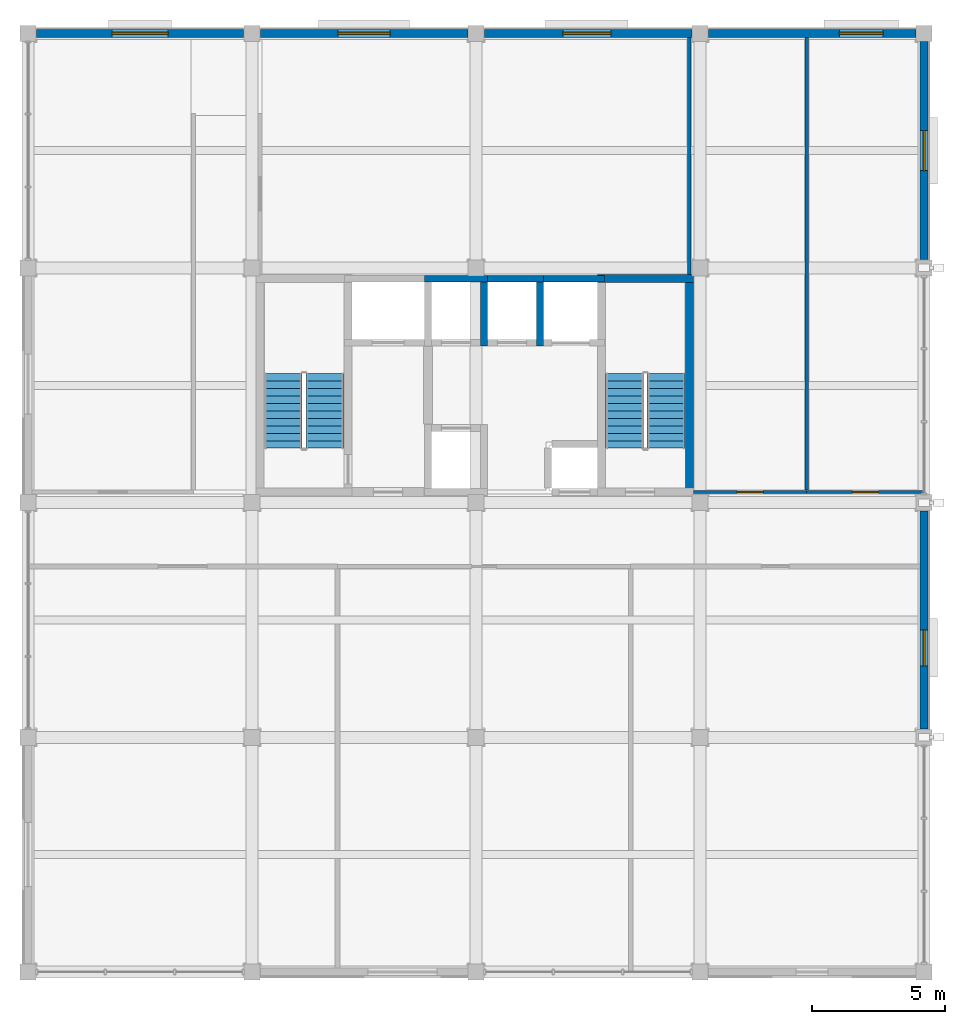
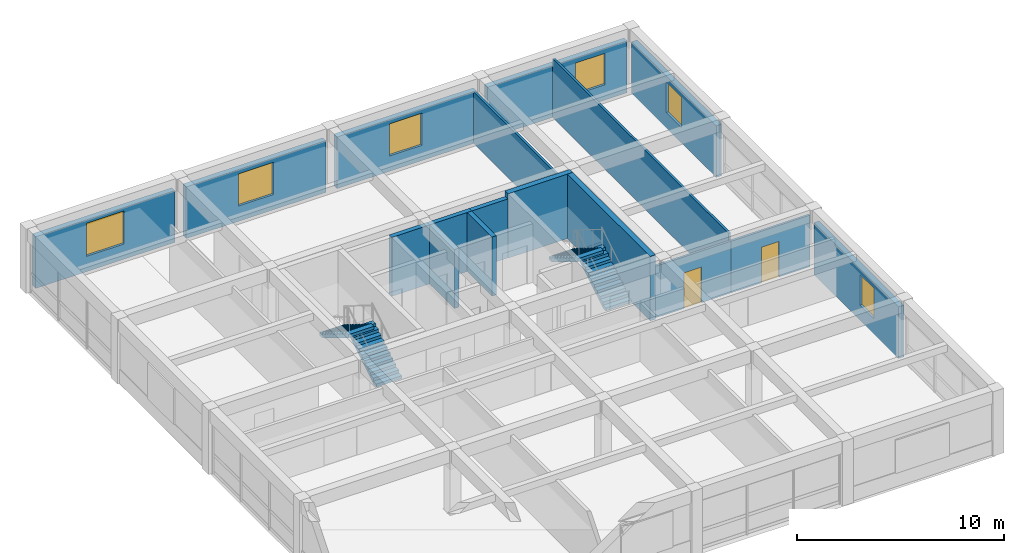
# One storey, part 8 of 12: 17 walls, 6 windows, 4 stair flights, 2 doors, 8 openings, 2 elements without a shape of their own.
"""IFC4 building model written with IfcOpenShell, lengths in metres."""

from ifc_helpers import new_model, si_unit, direction, frame, frame_2d, origin, place, context, subcontext, project, spatial, polyline, rectangle, outline, extrude, material, layer, layer_set, type_object, element, fill, aggregate, save


model = new_model("IFC4")

# Units and contexts
model_context = context("Model", 3, precision=1e-05, world=origin(), true_north=direction((0.0, 1.0)))
body_context = subcontext(model_context, "Body", "Model", "MODEL_VIEW")
ifc_project = project(units=[si_unit("LENGTHUNIT", "METRE"), si_unit("AREAUNIT", "SQUARE_METRE"), si_unit("VOLUMEUNIT", "CUBIC_METRE"), si_unit("PLANEANGLEUNIT", "RADIAN"), si_unit("MASSUNIT", "GRAM", prefix="KILO")], contexts=[model_context])

# Site, building, storey
site_placement = place(None, origin())
site = spatial("IfcSite", under=ifc_project, at=site_placement, CompositionType="ELEMENT")
building_placement = place(site_placement, origin())
building = spatial("IfcBuilding", under=site, at=building_placement, Name="Kemercrest Conservatory and Botanical Centre", CompositionType="ELEMENT")
storey_placement = place(building_placement, frame((0.0, 0.0, 52.199951171875)))
storey = spatial("IfcBuildingStorey", under=building, at=storey_placement, Name="L13", CompositionType="ELEMENT", Elevation=52.199951171875)

# Walls
ifc_material_1 = material(Name="Concrete C50/60", Category="concrete")
ifc_layer_1 = layer(ifc_material_1, 0.300048828125)
ifc_layer_set_1 = layer_set([ifc_layer_1], Name="Concrete C50/60")
wall_type_1 = type_object("IfcWallType", Name="CW-STAIR", PredefinedType="SHEAR", material=ifc_layer_set_1)
wall_1_placement = place(storey_placement, frame((163.75, 113.199951171875, 0.0), z_axis=(0.0, 0.0, 1.0), x_axis=(1.0, 0.0, 0.0)))
element("IfcWall", 1, at=wall_1_placement, inside=storey, type_object=wall_type_1, Name="Stair core ST-V4B shear wall N", PredefinedType="SHEAR", context=body_context, shape_type="SweptSolid", body=[
    extrude(rectangle(XDim=3.60009765625, YDim=0.300048828125, at=frame_2d((1.800048828125, 0.0))), origin(), (0.0, 0.0, 1.0), 3.800048828125),
])
wall_2_placement = place(storey_placement, frame((167.199951171875, 105.050048828125, 0.0), z_axis=(0.0, 0.0, 1.0), x_axis=(0.0, 1.0, 0.0)))
element("IfcWall", 2, at=wall_2_placement, inside=storey, type_object=wall_type_1, Name="Stair core ST-V4B shear wall E", PredefinedType="SHEAR", context=body_context, shape_type="SweptSolid", body=[
    extrude(rectangle(XDim=8.300048828125, YDim=0.300048828125, at=frame_2d((4.14990234375, 0.0))), origin(), (0.0, 0.0, 1.0), 3.800048828125),
])

# Wall, opening, window
ifc_material_2 = material(Name="Precast concrete C40/50", Category="concrete")
ifc_layer_2 = layer(ifc_material_2, 0.300048828125)
ifc_layer_set_2 = layer_set([ifc_layer_2], Name="Precast concrete C40/50")
wall_type_2 = type_object("IfcWallType", Name="W-EXT300", PredefinedType="SOLIDWALL", material=ifc_layer_set_2)
wall_3_placement = place(storey_placement, frame((176.0, 96.31005859375, 0.0), z_axis=(0.0, 0.0, 1.0), x_axis=(0.0, 1.0, 0.0)))
wall_3 = element("IfcWall", 3, at=wall_3_placement, inside=storey, type_object=wall_type_2, Name="Exterior almasik wall W-EXT300 (WAL:L13:EXT-325)", PredefinedType="SOLIDWALL", context=body_context, shape_type="SweptSolid", body=[
    extrude(rectangle(XDim=8.179931640625, YDim=0.300048828125, at=frame_2d((4.08984375, 0.0))), origin(), (0.0, 0.0, 1.0), 3.050048828125),
])
opening_1_placement = place(wall_3_placement, frame((2.3701171875, 0.0, 0.89990234375)))
opening_1 = element("IfcOpeningElement", 4, at=opening_1_placement, cuts=wall_3, Name="Opening WT-02", PredefinedType="OPENING", context=body_context, shape_type="SweptSolid", body=[
    extrude(rectangle(XDim=1.35009765625, YDim=1.800048828125, at=frame_2d((0.675048828125, 0.89990234375))), frame((0.0, 0.16015625, 0.0), z_axis=(0.0, -1.0, 0.0), x_axis=(1.0, 0.0, 0.0)), (0.0, 0.0, 1.0), 0.320068359375),
])
ifc_material_3 = material(Name="Thermally broken bronze-anodized aluminium and triple glazing", Category="aluminium")
window_type_1 = type_object("IfcWindowType", Name="WT-02", PartitioningType="SINGLE_PANEL", PredefinedType="WINDOW", material=ifc_material_3)
window_1_placement = place(opening_1_placement, origin())
window_1 = element("IfcWindow", 5, at=window_1_placement, inside=storey, type_object=window_type_1, Name="Exterior window WT-02 (WIN:L13:EXT-325)", OverallHeight=1.800048828125, OverallWidth=1.35009765625, PartitioningType="SINGLE_PANEL", PredefinedType="WINDOW", context=body_context, shape_type="SweptSolid", body=[
    extrude(rectangle(XDim=1.35009765625, YDim=1.800048828125, at=frame_2d((0.675048828125, 0.89990234375))), frame((0.0, 0.030029296875, 0.0), z_axis=(0.0, -1.0, 0.0), x_axis=(1.0, 0.0, 0.0)), (0.0, 0.0, 1.0), 0.06005859375),
])
fill(opening_1, window_1)

wall_4_placement = place(storey_placement, frame((176.0, 113.909912109375, 0.0), z_axis=(0.0, 0.0, 1.0), x_axis=(0.0, 1.0, 0.0)))
wall_4 = element("IfcWall", 6, at=wall_4_placement, inside=storey, type_object=wall_type_2, Name="Exterior almasik wall W-EXT300 (WAL:L13:EXT-326)", PredefinedType="SOLIDWALL", context=body_context, shape_type="SweptSolid", body=[
    extrude(rectangle(XDim=8.18017578125, YDim=0.300048828125, at=frame_2d((4.090087890625, 0.0))), origin(), (0.0, 0.0, 1.0), 3.050048828125),
])
opening_2_placement = place(wall_4_placement, frame((3.340087890625, 0.0, 0.89990234375)))
opening_2 = element("IfcOpeningElement", 7, at=opening_2_placement, cuts=wall_4, Name="Opening WT-03", PredefinedType="OPENING", context=body_context, shape_type="SweptSolid", body=[
    extrude(rectangle(XDim=1.5, YDim=1.800048828125, at=frame_2d((0.75, 0.89990234375))), frame((0.0, 0.16015625, 0.0), z_axis=(0.0, -1.0, 0.0), x_axis=(1.0, 0.0, 0.0)), (0.0, 0.0, 1.0), 0.320068359375),
])
window_type_2 = type_object("IfcWindowType", Name="WT-03", PartitioningType="SINGLE_PANEL", PredefinedType="WINDOW", material=ifc_material_3)
window_2_placement = place(opening_2_placement, origin())
window_2 = element("IfcWindow", 8, at=window_2_placement, inside=storey, type_object=window_type_2, Name="Exterior window WT-03 (WIN:L13:EXT-326)", OverallHeight=1.800048828125, OverallWidth=1.5, PartitioningType="SINGLE_PANEL", PredefinedType="WINDOW", context=body_context, shape_type="SweptSolid", body=[
    extrude(rectangle(XDim=1.5, YDim=1.800048828125, at=frame_2d((0.75, 0.89990234375))), frame((0.0, 0.030029296875, 0.0), z_axis=(0.0, -1.0, 0.0), x_axis=(1.0, 0.0, 0.0)), (0.0, 0.0, 1.0), 0.06005859375),
])
fill(opening_2, window_2)

wall_5_placement = place(storey_placement, frame((175.68994140625, 122.39990234375, 0.0), z_axis=(0.0, 0.0, 1.0), x_axis=(-1.0, 0.0, 0.0)))
wall_5 = element("IfcWall", 9, at=wall_5_placement, inside=storey, type_object=wall_type_2, Name="Exterior almasik wall W-EXT300 (WAL:L13:EXT-327)", PredefinedType="SOLIDWALL", context=body_context, shape_type="SweptSolid", body=[
    extrude(rectangle(XDim=7.780029296875, YDim=0.300048828125, at=frame_2d((3.89013671875, 0.0))), origin(), (0.0, 0.0, 1.0), 3.050048828125),
])
opening_3_placement = place(wall_5_placement, frame((1.219970703125, 0.0, 0.89990234375)))
opening_3 = element("IfcOpeningElement", 10, at=opening_3_placement, cuts=wall_5, Name="Opening WT-04", PredefinedType="OPENING", context=body_context, shape_type="SweptSolid", body=[
    extrude(rectangle(XDim=1.64990234375, YDim=1.85009765625, at=frame_2d((0.824951171875, 0.925048828125))), frame((0.0, 0.16015625, 0.0), z_axis=(0.0, -1.0, 0.0), x_axis=(1.0, 0.0, 0.0)), (0.0, 0.0, 1.0), 0.320068359375),
])
window_type_3 = type_object("IfcWindowType", Name="WT-04", PartitioningType="SINGLE_PANEL", PredefinedType="WINDOW", material=ifc_material_3)
window_3_placement = place(opening_3_placement, origin())
window_3 = element("IfcWindow", 11, at=window_3_placement, inside=storey, type_object=window_type_3, Name="Exterior window WT-04 (WIN:L13:EXT-327)", OverallHeight=1.85009765625, OverallWidth=1.64990234375, PartitioningType="SINGLE_PANEL", PredefinedType="WINDOW", context=body_context, shape_type="SweptSolid", body=[
    extrude(rectangle(XDim=1.64990234375, YDim=1.85009765625, at=frame_2d((0.824951171875, 0.925048828125))), frame((0.0, 0.030029296875, 0.0), z_axis=(0.0, -1.0, 0.0), x_axis=(1.0, 0.0, 0.0)), (0.0, 0.0, 1.0), 0.06005859375),
])
fill(opening_3, window_3)

wall_6_placement = place(storey_placement, frame((167.2900390625, 122.39990234375, 0.0), z_axis=(0.0, 0.0, 1.0), x_axis=(-1.0, 0.0, 0.0)))
wall_6 = element("IfcWall", 12, at=wall_6_placement, inside=storey, type_object=wall_type_2, Name="Exterior almasik wall W-EXT300 (WAL:L13:EXT-328)", PredefinedType="SOLIDWALL", context=body_context, shape_type="SweptSolid", body=[
    extrude(rectangle(XDim=7.780029296875, YDim=0.300048828125, at=frame_2d((3.89013671875, 0.0))), origin(), (0.0, 0.0, 1.0), 3.050048828125),
])
opening_4_placement = place(wall_6_placement, frame((3.034912109375, 0.0, 0.89990234375)))
opening_4 = element("IfcOpeningElement", 13, at=opening_4_placement, cuts=wall_6, Name="Opening WT-05", PredefinedType="OPENING", context=body_context, shape_type="SweptSolid", body=[
    extrude(rectangle(XDim=1.800048828125, YDim=1.89990234375, at=frame_2d((0.89990234375, 0.949951171875))), frame((0.0, 0.16015625, 0.0), z_axis=(0.0, -1.0, 0.0), x_axis=(1.0, 0.0, 0.0)), (0.0, 0.0, 1.0), 0.320068359375),
])
window_type_4 = type_object("IfcWindowType", Name="WT-05", PartitioningType="SINGLE_PANEL", PredefinedType="WINDOW", material=ifc_material_3)
window_4_placement = place(opening_4_placement, origin())
window_4 = element("IfcWindow", 14, at=window_4_placement, inside=storey, type_object=window_type_4, Name="Exterior window WT-05 (WIN:L13:EXT-328)", OverallHeight=1.89990234375, OverallWidth=1.800048828125, PartitioningType="SINGLE_PANEL", PredefinedType="WINDOW", context=body_context, shape_type="SweptSolid", body=[
    extrude(rectangle(XDim=1.800048828125, YDim=1.89990234375, at=frame_2d((0.89990234375, 0.949951171875))), frame((0.0, 0.030029296875, 0.0), z_axis=(0.0, -1.0, 0.0), x_axis=(1.0, 0.0, 0.0)), (0.0, 0.0, 1.0), 0.06005859375),
])
fill(opening_4, window_4)

wall_7_placement = place(storey_placement, frame((158.889892578125, 122.39990234375, 0.0), z_axis=(0.0, 0.0, 1.0), x_axis=(-1.0, 0.0, 0.0)))
wall_7 = element("IfcWall", 15, at=wall_7_placement, inside=storey, type_object=wall_type_2, Name="Exterior almasik wall W-EXT300 (WAL:L13:EXT-329)", PredefinedType="SOLIDWALL", context=body_context, shape_type="SweptSolid", body=[
    extrude(rectangle(XDim=7.77978515625, YDim=0.300048828125, at=frame_2d((3.889892578125, 0.0))), origin(), (0.0, 0.0, 1.0), 3.050048828125),
])
opening_5_placement = place(wall_7_placement, frame((2.9150390625, 0.0, 0.89990234375)))
opening_5 = element("IfcOpeningElement", 16, at=opening_5_placement, cuts=wall_7, Name="Opening WT-06", PredefinedType="OPENING", context=body_context, shape_type="SweptSolid", body=[
    extrude(rectangle(XDim=1.949951171875, YDim=1.89990234375, at=frame_2d((0.97509765625, 0.949951171875))), frame((0.0, 0.16015625, 0.0), z_axis=(0.0, -1.0, 0.0), x_axis=(1.0, 0.0, 0.0)), (0.0, 0.0, 1.0), 0.320068359375),
])
window_type_5 = type_object("IfcWindowType", Name="WT-06", PartitioningType="SINGLE_PANEL", PredefinedType="WINDOW", material=ifc_material_3)
window_5_placement = place(opening_5_placement, origin())
window_5 = element("IfcWindow", 17, at=window_5_placement, inside=storey, type_object=window_type_5, Name="Exterior window WT-06 (WIN:L13:EXT-329)", OverallHeight=1.89990234375, OverallWidth=1.949951171875, PartitioningType="SINGLE_PANEL", PredefinedType="WINDOW", context=body_context, shape_type="SweptSolid", body=[
    extrude(rectangle(XDim=1.949951171875, YDim=1.89990234375, at=frame_2d((0.97509765625, 0.949951171875))), frame((0.0, 0.030029296875, 0.0), z_axis=(0.0, -1.0, 0.0), x_axis=(1.0, 0.0, 0.0)), (0.0, 0.0, 1.0), 0.06005859375),
])
fill(opening_5, window_5)

wall_8_placement = place(storey_placement, frame((150.489990234375, 122.39990234375, 0.0), z_axis=(0.0, 0.0, 1.0), x_axis=(-1.0, 0.0, 0.0)))
wall_8 = element("IfcWall", 18, at=wall_8_placement, inside=storey, type_object=wall_type_2, Name="Exterior almasik wall W-EXT300 (WAL:L13:EXT-330)", PredefinedType="SOLIDWALL", context=body_context, shape_type="SweptSolid", body=[
    extrude(rectangle(XDim=7.780029296875, YDim=0.300048828125, at=frame_2d((3.89013671875, 0.0))), origin(), (0.0, 0.0, 1.0), 3.050048828125),
])
opening_6_placement = place(wall_8_placement, frame((2.840087890625, 0.0, 0.89990234375)))
opening_6 = element("IfcOpeningElement", 19, at=opening_6_placement, cuts=wall_8, Name="Opening WT-07", PredefinedType="OPENING", context=body_context, shape_type="SweptSolid", body=[
    extrude(rectangle(XDim=2.10009765625, YDim=1.949951171875, at=frame_2d((1.050048828125, 0.97509765625))), frame((0.0, 0.16015625, 0.0), z_axis=(0.0, -1.0, 0.0), x_axis=(1.0, 0.0, 0.0)), (0.0, 0.0, 1.0), 0.320068359375),
])
window_type_6 = type_object("IfcWindowType", Name="WT-07", PartitioningType="SINGLE_PANEL", PredefinedType="WINDOW", material=ifc_material_3)
window_6_placement = place(opening_6_placement, origin())
window_6 = element("IfcWindow", 20, at=window_6_placement, inside=storey, type_object=window_type_6, Name="Exterior window WT-07 (WIN:L13:EXT-330)", OverallHeight=1.949951171875, OverallWidth=2.10009765625, PartitioningType="SINGLE_PANEL", PredefinedType="WINDOW", context=body_context, shape_type="SweptSolid", body=[
    extrude(rectangle(XDim=2.10009765625, YDim=1.949951171875, at=frame_2d((1.050048828125, 0.97509765625))), frame((0.0, 0.030029296875, 0.0), z_axis=(0.0, -1.0, 0.0), x_axis=(1.0, 0.0, 0.0)), (0.0, 0.0, 1.0), 0.06005859375),
])
fill(opening_6, window_6)

# Wall, opening, door
ifc_material_4 = material(Name="Moisture-resistant gypsum board partition", Category="gypsum")
ifc_layer_3 = layer(ifc_material_4, 0.125)
ifc_layer_set_3 = layer_set([ifc_layer_3], Name="Moisture-resistant gypsum board partition")
wall_type_3 = type_object("IfcWallType", Name="W-PART125", PredefinedType="PARTITIONING", material=ifc_layer_set_3)
wall_9_placement = place(storey_placement, frame((167.35498046875, 105.199951171875, 0.0), z_axis=(0.0, 0.0, 1.0), x_axis=(1.0, 0.0, 0.0)))
wall_9 = element("IfcWall", 21, at=wall_9_placement, inside=storey, type_object=wall_type_3, Name="Interior partition W-PART125 #282", PredefinedType="PARTITIONING", context=body_context, shape_type="SweptSolid", body=[
    extrude(rectangle(XDim=4.2451171875, YDim=0.125, at=frame_2d((2.12255859375, 0.0))), origin(), (0.0, 0.0, 1.0), 3.045166015625),
])
opening_7_placement = place(wall_9_placement, frame((1.632568359375, 0.0, 0.0)))
opening_7 = element("IfcOpeningElement", 22, at=opening_7_placement, cuts=wall_9, Name="Opening D267", PredefinedType="OPENING", context=body_context, shape_type="SweptSolid", body=[
    extrude(rectangle(XDim=0.97998046875, YDim=2.10009765625, at=frame_2d((0.489990234375, 1.050048828125))), frame((0.0, 0.072509765625, 0.0), z_axis=(0.0, -1.0, 0.0), x_axis=(1.0, 0.0, 0.0)), (0.0, 0.0, 1.0), 0.14501953125),
])
ifc_material_5 = material(Name="FSC solid-core white oak veneer and anodized aluminium frame", Category="aluminium")
door_type = type_object("IfcDoorType", Name="DT-02", OperationType="NOTDEFINED", PredefinedType="DOOR", material=ifc_material_5)
door_1_placement = place(opening_7_placement, origin())
door_1 = element("IfcDoor", 23, at=door_1_placement, inside=storey, type_object=door_type, Name="Staff Washroom door D267", OperationType="SINGLE_SWING_LEFT", OverallHeight=2.10009765625, OverallWidth=0.97998046875, PredefinedType="DOOR", context=body_context, shape_type="SweptSolid", body=[
    extrude(rectangle(XDim=0.97998046875, YDim=2.10009765625, at=frame_2d((0.489990234375, 1.050048828125))), frame((0.0, 0.02490234375, 0.0), z_axis=(0.0, -1.0, 0.0), x_axis=(1.0, 0.0, 0.0)), (0.0, 0.0, 1.0), 0.050048828125),
])
fill(opening_7, door_1)

wall_10_placement = place(storey_placement, frame((171.60009765625, 105.199951171875, 0.0), z_axis=(0.0, 0.0, 1.0), x_axis=(1.0, 0.0, 0.0)))
wall_10 = element("IfcWall", 24, at=wall_10_placement, inside=storey, type_object=wall_type_3, Name="Interior partition W-PART125 #283", PredefinedType="PARTITIONING", context=body_context, shape_type="SweptSolid", body=[
    extrude(rectangle(XDim=4.39990234375, YDim=0.125, at=frame_2d((2.199951171875, 0.0))), origin(), (0.0, 0.0, 1.0), 3.045166015625),
])
opening_8_placement = place(wall_10_placement, frame((1.7099609375, 0.0, 0.0)))
opening_8 = element("IfcOpeningElement", 25, at=opening_8_placement, cuts=wall_10, Name="Opening D268", PredefinedType="OPENING", context=body_context, shape_type="SweptSolid", body=[
    extrude(rectangle(XDim=0.97998046875, YDim=2.10009765625, at=frame_2d((0.489990234375, 1.050048828125))), frame((0.0, 0.072509765625, 0.0), z_axis=(0.0, -1.0, 0.0), x_axis=(1.0, 0.0, 0.0)), (0.0, 0.0, 1.0), 0.14501953125),
])
door_2_placement = place(opening_8_placement, origin())
door_2 = element("IfcDoor", 26, at=door_2_placement, inside=storey, type_object=door_type, Name="Accessible Washroom door D268", OperationType="SINGLE_SWING_RIGHT", OverallHeight=2.10009765625, OverallWidth=0.97998046875, PredefinedType="DOOR", context=body_context, shape_type="SweptSolid", body=[
    extrude(rectangle(XDim=0.97998046875, YDim=2.10009765625, at=frame_2d((0.489990234375, 1.050048828125))), frame((0.0, 0.02490234375, 0.0), z_axis=(0.0, -1.0, 0.0), x_axis=(1.0, 0.0, 0.0)), (0.0, 0.0, 1.0), 0.050048828125),
])
fill(opening_8, door_2)

# Walls
wall_11_placement = place(storey_placement, frame((167.199951171875, 113.35498046875, 0.0), z_axis=(0.0, 0.0, 1.0), x_axis=(0.0, 1.0, 0.0)))
element("IfcWall", 27, at=wall_11_placement, inside=storey, type_object=wall_type_3, Name="Interior partition W-PART125 #288", PredefinedType="PARTITIONING", context=body_context, shape_type="SweptSolid", body=[
    extrude(rectangle(XDim=8.89013671875, YDim=0.125, at=frame_2d((4.445068359375, 0.0))), origin(), (0.0, 0.0, 1.0), 3.045166015625),
])
wall_12_placement = place(storey_placement, frame((171.60009765625, 105.267578125, 0.0), z_axis=(0.0, 0.0, 1.0), x_axis=(0.0, 1.0, 0.0)))
element("IfcWall", 28, at=wall_12_placement, inside=storey, type_object=wall_type_3, Name="Interior partition W-PART125 #289", PredefinedType="PARTITIONING", context=body_context, shape_type="SweptSolid", body=[
    extrude(rectangle(XDim=16.9775390625, YDim=0.125, at=frame_2d((8.48876953125, 0.0))), origin(), (0.0, 0.0, 1.0), 3.465087890625),
])
ifc_material_6 = material(Name="Concrete C40/50", Category="concrete")
ifc_layer_4 = layer(ifc_material_6, 0.25)
ifc_layer_set_4 = layer_set([ifc_layer_4], Name="Concrete C40/50")
wall_type_4 = type_object("IfcWallType", Name="W-SHFT250", PredefinedType="SOLIDWALL", material=ifc_layer_set_4)
wall_13_placement = place(storey_placement, frame((157.27490234375, 113.199951171875, 0.0), z_axis=(0.0, 0.0, 1.0), x_axis=(1.0, 0.0, 0.0)))
element("IfcWall", 29, at=wall_13_placement, inside=storey, type_object=wall_type_4, Name="Elevator LF-P1 shaft wall north", PredefinedType="SOLIDWALL", context=body_context, shape_type="SweptSolid", body=[
    extrude(rectangle(XDim=2.35009765625, YDim=0.25, at=frame_2d((1.175048828125, 0.0))), origin(), (0.0, 0.0, 1.0), 3.47998046875),
])
wall_14_placement = place(storey_placement, frame((159.5, 110.675048828125, 0.0), z_axis=(0.0, 0.0, 1.0), x_axis=(0.0, 1.0, 0.0)))
element("IfcWall", 30, at=wall_14_placement, inside=storey, type_object=wall_type_4, Name="Elevator LF-P1 shaft wall east", PredefinedType="SOLIDWALL", context=body_context, shape_type="SweptSolid", body=[
    extrude(rectangle(XDim=2.64990234375, YDim=0.25, at=frame_2d((1.324951171875, 0.0))), origin(), (0.0, 0.0, 1.0), 3.47998046875),
])
wall_15_placement = place(storey_placement, frame((159.375, 113.199951171875, 0.0), z_axis=(0.0, 0.0, 1.0), x_axis=(1.0, 0.0, 0.0)))
element("IfcWall", 31, at=wall_15_placement, inside=storey, type_object=wall_type_4, Name="Elevator LF-P2 shaft wall north", PredefinedType="SOLIDWALL", context=body_context, shape_type="SweptSolid", body=[
    extrude(rectangle(XDim=2.35009765625, YDim=0.25, at=frame_2d((1.175048828125, 0.0))), origin(), (0.0, 0.0, 1.0), 3.47998046875),
])
wall_16_placement = place(storey_placement, frame((161.60009765625, 110.675048828125, 0.0), z_axis=(0.0, 0.0, 1.0), x_axis=(0.0, 1.0, 0.0)))
element("IfcWall", 32, at=wall_16_placement, inside=storey, type_object=wall_type_4, Name="Elevator LF-P2 shaft wall east", PredefinedType="SOLIDWALL", context=body_context, shape_type="SweptSolid", body=[
    extrude(rectangle(XDim=2.64990234375, YDim=0.25, at=frame_2d((1.324951171875, 0.0))), origin(), (0.0, 0.0, 1.0), 3.47998046875),
])
wall_17_placement = place(storey_placement, frame((161.47509765625, 113.199951171875, 0.0), z_axis=(0.0, 0.0, 1.0), x_axis=(1.0, 0.0, 0.0)))
element("IfcWall", 33, at=wall_17_placement, inside=storey, type_object=wall_type_4, Name="Elevator LF-G1 shaft wall north", PredefinedType="SOLIDWALL", context=body_context, shape_type="SweptSolid", body=[
    extrude(rectangle(XDim=2.5498046875, YDim=0.25, at=frame_2d((1.27490234375, 0.0))), origin(), (0.0, 0.0, 1.0), 3.47998046875),
])

# Stair, stair flights
stair_type = type_object("IfcStairType", Name="ST-142-38", PredefinedType="HALF_TURN_STAIR", material=ifc_material_6)
stair_1_placement = place(storey_placement, origin())
stair_1 = element("IfcStair", 34, at=stair_1_placement, inside=storey, type_object=stair_type, Name="L13 Exit stair ST-V4A", PredefinedType="HALF_TURN_STAIR")
stair_flight_type = type_object("IfcStairFlightType", Name="FL-142-38", PredefinedType="STRAIGHT", material=ifc_material_6)
stair_flight_1_placement = place(storey_placement, frame((153.530029296875, 106.840087890625, 0.0), z_axis=(0.0, 0.0, 1.0), x_axis=(0.0, 1.0, 0.0)))
stair_flight_1 = element("IfcStairFlight", 35, at=stair_flight_1_placement, type_object=stair_flight_type, Name="ST-V4A flight 1", NumberOfRisers=11, NumberOfTreads=10, PredefinedType="STRAIGHT", RiserHeight=0.172727273, TreadLength=0.28, context=body_context, shape_type="SweptSolid", body=[
    extrude(outline(polyline([(0.0, 0.0), (0.0, 0.172607421875), (0.280029296875, 0.172607421875), (0.280029296875, 0.345458984375), (0.56005859375, 0.345458984375), (0.56005859375, 0.51806640625), (0.840087890625, 0.51806640625), (0.840087890625, 0.69091796875), (1.1201171875, 0.69091796875), (1.1201171875, 0.863525390625), (1.39990234375, 0.863525390625), (1.39990234375, 1.036376953125), (1.679931640625, 1.036376953125), (1.679931640625, 1.208984375), (1.9599609375, 1.208984375), (1.9599609375, 1.3818359375), (2.239990234375, 1.3818359375), (2.239990234375, 1.554443359375), (2.52001953125, 1.554443359375), (2.52001953125, 1.727294921875), (2.800048828125, 1.727294921875), (2.800048828125, 1.89990234375), (2.800048828125, 1.551025390625), (0.285400390625, 0.0), (0.0, 0.0)])), frame((0.0, 0.7099609375, 0.0), z_axis=(0.0, -1.0, 0.0), x_axis=(1.0, 0.0, 0.0)), (0.0, 0.0, 1.0), 1.419921875),
])
stair_flight_2_placement = place(storey_placement, frame((151.969970703125, 109.639892578125, 1.900146484375), z_axis=(0.0, 0.0, 1.0), x_axis=(0.0, -1.0, 0.0)))
stair_flight_2 = element("IfcStairFlight", 36, at=stair_flight_2_placement, type_object=stair_flight_type, Name="ST-V4A flight 2", NumberOfRisers=11, NumberOfTreads=10, PredefinedType="STRAIGHT", RiserHeight=0.172727273, TreadLength=0.28, context=body_context, shape_type="SweptSolid", body=[
    extrude(outline(polyline([(0.0, 0.0), (0.0, 0.172607421875), (0.280029296875, 0.172607421875), (0.280029296875, 0.345458984375), (0.56005859375, 0.345458984375), (0.56005859375, 0.51806640625), (0.840087890625, 0.51806640625), (0.840087890625, 0.69091796875), (1.1201171875, 0.69091796875), (1.1201171875, 0.863525390625), (1.39990234375, 0.863525390625), (1.39990234375, 1.036376953125), (1.679931640625, 1.036376953125), (1.679931640625, 1.208984375), (1.9599609375, 1.208984375), (1.9599609375, 1.3818359375), (2.239990234375, 1.3818359375), (2.239990234375, 1.554443359375), (2.52001953125, 1.554443359375), (2.52001953125, 1.727294921875), (2.800048828125, 1.727294921875), (2.800048828125, 1.89990234375), (2.800048828125, 1.551025390625), (0.285400390625, 0.0), (0.0, 0.0)])), frame((0.0, 0.7099609375, 0.0), z_axis=(0.0, -1.0, 0.0), x_axis=(1.0, 0.0, 0.0)), (0.0, 0.0, 1.0), 1.419921875),
])
aggregate(stair_1, [stair_flight_1, stair_flight_2])

stair_2_placement = place(storey_placement, origin())
stair_2 = element("IfcStair", 37, at=stair_2_placement, inside=storey, type_object=stair_type, Name="L13 Exit stair ST-V4B", PredefinedType="HALF_TURN_STAIR")
stair_flight_3_placement = place(storey_placement, frame((166.330078125, 106.840087890625, 0.0), z_axis=(0.0, 0.0, 1.0), x_axis=(0.0, 1.0, 0.0)))
stair_flight_3 = element("IfcStairFlight", 38, at=stair_flight_3_placement, type_object=stair_flight_type, Name="ST-V4B flight 1", NumberOfRisers=11, NumberOfTreads=10, PredefinedType="STRAIGHT", RiserHeight=0.172727273, TreadLength=0.28, context=body_context, shape_type="SweptSolid", body=[
    extrude(outline(polyline([(0.0, 0.0), (0.0, 0.172607421875), (0.280029296875, 0.172607421875), (0.280029296875, 0.345458984375), (0.56005859375, 0.345458984375), (0.56005859375, 0.51806640625), (0.840087890625, 0.51806640625), (0.840087890625, 0.69091796875), (1.1201171875, 0.69091796875), (1.1201171875, 0.863525390625), (1.39990234375, 0.863525390625), (1.39990234375, 1.036376953125), (1.679931640625, 1.036376953125), (1.679931640625, 1.208984375), (1.9599609375, 1.208984375), (1.9599609375, 1.3818359375), (2.239990234375, 1.3818359375), (2.239990234375, 1.554443359375), (2.52001953125, 1.554443359375), (2.52001953125, 1.727294921875), (2.800048828125, 1.727294921875), (2.800048828125, 1.89990234375), (2.800048828125, 1.551025390625), (0.285400390625, 0.0), (0.0, 0.0)])), frame((0.0, 0.7099609375, 0.0), z_axis=(0.0, -1.0, 0.0), x_axis=(1.0, 0.0, 0.0)), (0.0, 0.0, 1.0), 1.419921875),
])
stair_flight_4_placement = place(storey_placement, frame((164.77001953125, 109.639892578125, 1.900146484375), z_axis=(0.0, 0.0, 1.0), x_axis=(0.0, -1.0, 0.0)))
stair_flight_4 = element("IfcStairFlight", 39, at=stair_flight_4_placement, type_object=stair_flight_type, Name="ST-V4B flight 2", NumberOfRisers=11, NumberOfTreads=10, PredefinedType="STRAIGHT", RiserHeight=0.172727273, TreadLength=0.28, context=body_context, shape_type="SweptSolid", body=[
    extrude(outline(polyline([(0.0, 0.0), (0.0, 0.172607421875), (0.280029296875, 0.172607421875), (0.280029296875, 0.345458984375), (0.56005859375, 0.345458984375), (0.56005859375, 0.51806640625), (0.840087890625, 0.51806640625), (0.840087890625, 0.69091796875), (1.1201171875, 0.69091796875), (1.1201171875, 0.863525390625), (1.39990234375, 0.863525390625), (1.39990234375, 1.036376953125), (1.679931640625, 1.036376953125), (1.679931640625, 1.208984375), (1.9599609375, 1.208984375), (1.9599609375, 1.3818359375), (2.239990234375, 1.3818359375), (2.239990234375, 1.554443359375), (2.52001953125, 1.554443359375), (2.52001953125, 1.727294921875), (2.800048828125, 1.727294921875), (2.800048828125, 1.89990234375), (2.800048828125, 1.551025390625), (0.285400390625, 0.0), (0.0, 0.0)])), frame((0.0, 0.7099609375, 0.0), z_axis=(0.0, -1.0, 0.0), x_axis=(1.0, 0.0, 0.0)), (0.0, 0.0, 1.0), 1.419921875),
])
aggregate(stair_2, [stair_flight_3, stair_flight_4])

save(model, "model.ifc")
